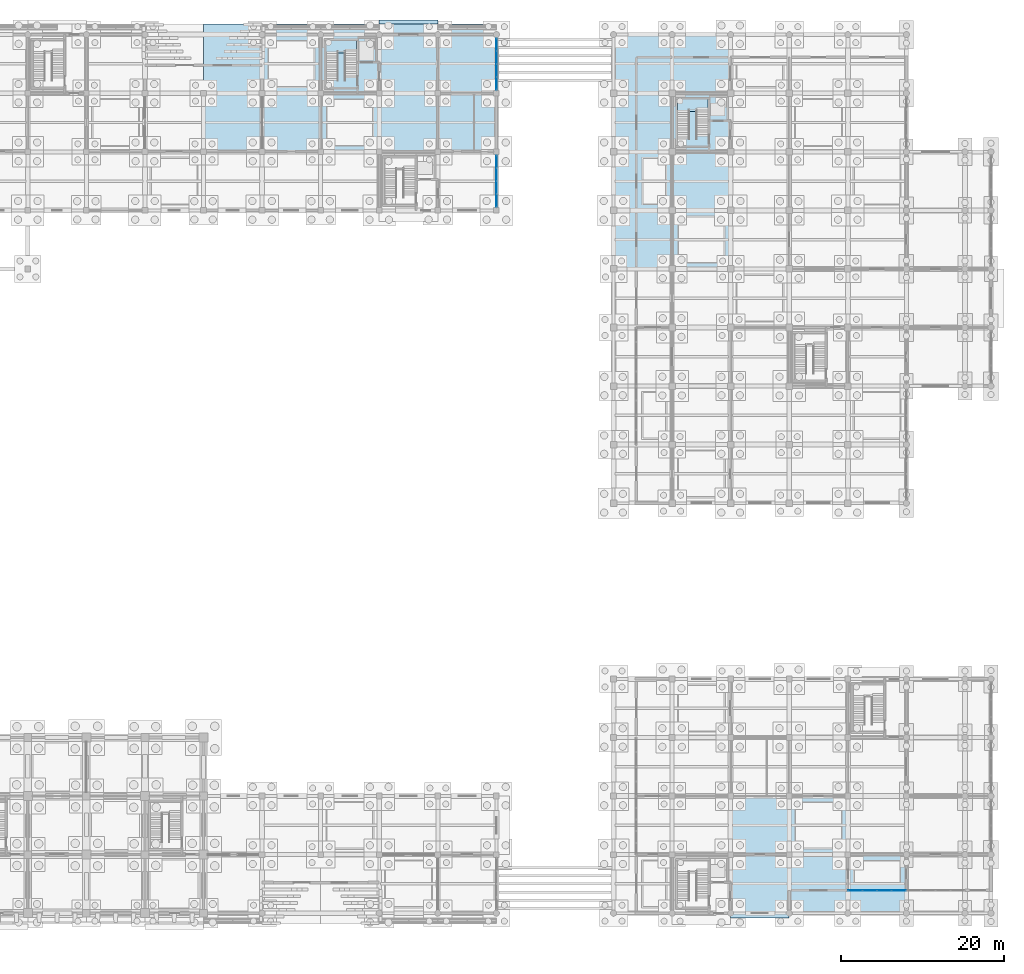
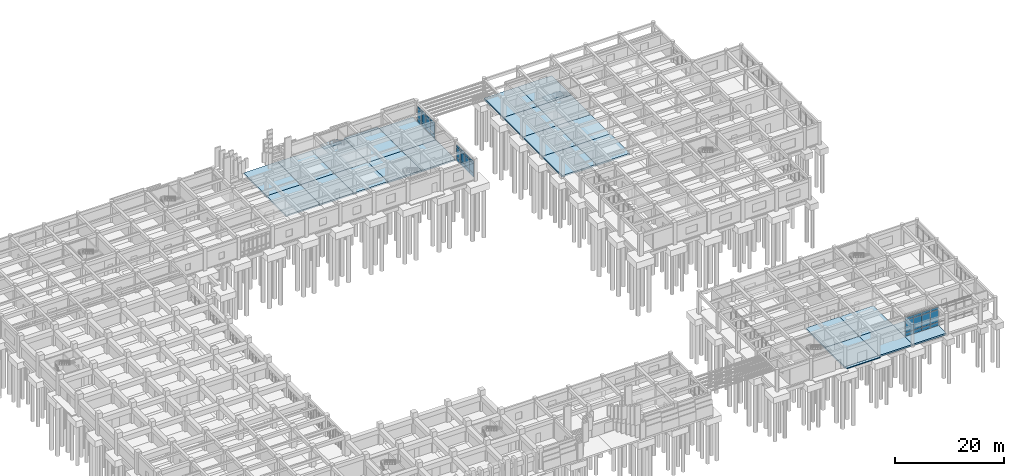
# One storey, part 49 of 79: 36 plates, 27 slabs, 5 elements without a shape of their own.
"""IFC4 building model written with IfcOpenShell, lengths in metres."""

from ifc_helpers import new_model, si_unit, direction, frame, origin, origin_2d, place, context, subcontext, project, spatial, polyline, rectangle, outline, extrude, material, layer, layer_set, type_object, element, aggregate, save


model = new_model("IFC4")

# Units and contexts
model_context = context("Model", 3, precision=1e-05, world=origin(), true_north=direction((0.0, 1.0)))
body_context = subcontext(model_context, "Body", "Model", "MODEL_VIEW")
ifc_project = project(units=[si_unit("LENGTHUNIT", "METRE"), si_unit("AREAUNIT", "SQUARE_METRE"), si_unit("VOLUMEUNIT", "CUBIC_METRE"), si_unit("PLANEANGLEUNIT", "RADIAN"), si_unit("MASSUNIT", "GRAM", prefix="KILO")], contexts=[model_context])

# Site, building, storey
site_placement = place(None, origin())
site = spatial("IfcSite", under=ifc_project, at=site_placement, CompositionType="ELEMENT")
building_placement = place(site_placement, origin())
building = spatial("IfcBuilding", under=site, at=building_placement, Name="Kavelor Marine Aquarium", CompositionType="ELEMENT")
storey_placement = place(building_placement, origin())
storey = spatial("IfcBuildingStorey", under=building, at=storey_placement, Name="L00", CompositionType="ELEMENT", Elevation=0.0)

# Curtain wall, plates
ifc_material_1 = material(Name="Thermally Broken Aluminium and Low-E Glass", Category="aluminium")
ifc_layer_1 = layer(ifc_material_1, 0.251953125)
ifc_layer_set_1 = layer_set([ifc_layer_1], Name="CW-SYS14")
curtain_wall_type_1 = type_object("IfcCurtainWallType", Name="CW-SYS14", PredefinedType="USERDEFINED", material=ifc_layer_set_1)
curtain_wall_1_placement = place(storey_placement, origin())
curtain_wall_1 = element("IfcCurtainWall", 1, at=curtain_wall_1_placement, inside=storey, type_object=curtain_wall_type_1, Name="cw:arc:v3s:20", ObjectType="Curtain Wall", PredefinedType="USERDEFINED")
ifc_material_2 = material(Name="Solar-Control Double Low-E Glazing", Category="glass")
ifc_layer_2 = layer(ifc_material_2, 0.028076171875)
ifc_layer_set_2 = layer_set([ifc_layer_2], Name="CWP-02")
plate_type_1 = type_object("IfcPlateType", Name="CWP-02", PredefinedType="CURTAIN_PANEL", material=ifc_layer_set_2)
plate_1_placement = place(storey_placement, frame((153.483642578125, 5.60009765625, 0.06494140625), z_axis=(0.0, 0.0, 1.0), x_axis=(-1.0, 0.0, 0.0)))
plate_1 = element("IfcPlate", 2, at=plate_1_placement, type_object=plate_type_1, Name="CW14 panel 1.1", PredefinedType="CURTAIN_PANEL", context=body_context, shape_type="SweptSolid", body=[
    extrude(rectangle(XDim=1.702392578125, YDim=0.028076171875, at=origin_2d()), origin(), (0.0, 0.0, 1.0), 0.802490234375),
])
plate_2_placement = place(storey_placement, frame((153.483642578125, 5.60009765625, 0.9326171875), z_axis=(0.0, 0.0, 1.0), x_axis=(-1.0, 0.0, 0.0)))
plate_2 = element("IfcPlate", 3, at=plate_2_placement, type_object=plate_type_1, Name="CW14 panel 1.2", PredefinedType="CURTAIN_PANEL", context=body_context, shape_type="SweptSolid", body=[
    extrude(rectangle(XDim=1.702392578125, YDim=0.028076171875, at=origin_2d()), origin(), (0.0, 0.0, 1.0), 2.7548828125),
])
plate_3_placement = place(storey_placement, frame((153.483642578125, 5.60009765625, 3.75244140625), z_axis=(0.0, 0.0, 1.0), x_axis=(-1.0, 0.0, 0.0)))
plate_3 = element("IfcPlate", 4, at=plate_3_placement, type_object=plate_type_1, Name="CW14 panel 1.3", PredefinedType="CURTAIN_PANEL", context=body_context, shape_type="SweptSolid", body=[
    extrude(rectangle(XDim=1.702392578125, YDim=0.028076171875, at=origin_2d()), origin(), (0.0, 0.0, 1.0), 0.552490234375),
])
plate_4_placement = place(storey_placement, frame((151.699951171875, 5.60009765625, 0.06494140625), z_axis=(0.0, 0.0, 1.0), x_axis=(-1.0, 0.0, 0.0)))
plate_4 = element("IfcPlate", 5, at=plate_4_placement, type_object=plate_type_1, Name="CW14 panel 2.1", PredefinedType="CURTAIN_PANEL", context=body_context, shape_type="SweptSolid", body=[
    extrude(rectangle(XDim=1.735107421875, YDim=0.028076171875, at=origin_2d()), origin(), (0.0, 0.0, 1.0), 0.802490234375),
])
plate_5_placement = place(storey_placement, frame((151.699951171875, 5.60009765625, 0.9326171875), z_axis=(0.0, 0.0, 1.0), x_axis=(-1.0, 0.0, 0.0)))
plate_5 = element("IfcPlate", 6, at=plate_5_placement, type_object=plate_type_1, Name="CW14 panel 2.2", PredefinedType="CURTAIN_PANEL", context=body_context, shape_type="SweptSolid", body=[
    extrude(rectangle(XDim=1.735107421875, YDim=0.028076171875, at=origin_2d()), origin(), (0.0, 0.0, 1.0), 2.7548828125),
])
plate_6_placement = place(storey_placement, frame((151.699951171875, 5.60009765625, 3.75244140625), z_axis=(0.0, 0.0, 1.0), x_axis=(-1.0, 0.0, 0.0)))
plate_6 = element("IfcPlate", 7, at=plate_6_placement, type_object=plate_type_1, Name="CW14 panel 2.3", PredefinedType="CURTAIN_PANEL", context=body_context, shape_type="SweptSolid", body=[
    extrude(rectangle(XDim=1.735107421875, YDim=0.028076171875, at=origin_2d()), origin(), (0.0, 0.0, 1.0), 0.552490234375),
])
plate_7_placement = place(storey_placement, frame((149.89990234375, 5.60009765625, 0.06494140625), z_axis=(0.0, 0.0, 1.0), x_axis=(-1.0, 0.0, 0.0)))
plate_7 = element("IfcPlate", 8, at=plate_7_placement, type_object=plate_type_1, Name="CW14 panel 3.1", PredefinedType="CURTAIN_PANEL", context=body_context, shape_type="SweptSolid", body=[
    extrude(rectangle(XDim=1.735107421875, YDim=0.028076171875, at=origin_2d()), origin(), (0.0, 0.0, 1.0), 0.802490234375),
])
plate_8_placement = place(storey_placement, frame((149.89990234375, 5.60009765625, 0.9326171875), z_axis=(0.0, 0.0, 1.0), x_axis=(-1.0, 0.0, 0.0)))
plate_8 = element("IfcPlate", 9, at=plate_8_placement, type_object=plate_type_1, Name="CW14 panel 3.2", PredefinedType="CURTAIN_PANEL", context=body_context, shape_type="SweptSolid", body=[
    extrude(rectangle(XDim=1.735107421875, YDim=0.028076171875, at=origin_2d()), origin(), (0.0, 0.0, 1.0), 2.7548828125),
])
plate_9_placement = place(storey_placement, frame((149.89990234375, 5.60009765625, 3.75244140625), z_axis=(0.0, 0.0, 1.0), x_axis=(-1.0, 0.0, 0.0)))
plate_9 = element("IfcPlate", 10, at=plate_9_placement, type_object=plate_type_1, Name="CW14 panel 3.3", PredefinedType="CURTAIN_PANEL", context=body_context, shape_type="SweptSolid", body=[
    extrude(rectangle(XDim=1.735107421875, YDim=0.028076171875, at=origin_2d()), origin(), (0.0, 0.0, 1.0), 0.552490234375),
])
plate_10_placement = place(storey_placement, frame((148.1162109375, 5.60009765625, 0.06494140625), z_axis=(0.0, 0.0, 1.0), x_axis=(-1.0, 0.0, 0.0)))
plate_10 = element("IfcPlate", 11, at=plate_10_placement, type_object=plate_type_1, Name="CW14 panel 4.1", PredefinedType="CURTAIN_PANEL", context=body_context, shape_type="SweptSolid", body=[
    extrude(rectangle(XDim=1.702392578125, YDim=0.028076171875, at=origin_2d()), origin(), (0.0, 0.0, 1.0), 0.802490234375),
])
plate_11_placement = place(storey_placement, frame((148.1162109375, 5.60009765625, 0.9326171875), z_axis=(0.0, 0.0, 1.0), x_axis=(-1.0, 0.0, 0.0)))
plate_11 = element("IfcPlate", 12, at=plate_11_placement, type_object=plate_type_1, Name="CW14 panel 4.2", PredefinedType="CURTAIN_PANEL", context=body_context, shape_type="SweptSolid", body=[
    extrude(rectangle(XDim=1.702392578125, YDim=0.028076171875, at=origin_2d()), origin(), (0.0, 0.0, 1.0), 2.7548828125),
])
plate_12_placement = place(storey_placement, frame((148.1162109375, 5.60009765625, 3.75244140625), z_axis=(0.0, 0.0, 1.0), x_axis=(-1.0, 0.0, 0.0)))
plate_12 = element("IfcPlate", 13, at=plate_12_placement, type_object=plate_type_1, Name="CW14 panel 4.3", PredefinedType="CURTAIN_PANEL", context=body_context, shape_type="SweptSolid", body=[
    extrude(rectangle(XDim=1.702392578125, YDim=0.028076171875, at=origin_2d()), origin(), (0.0, 0.0, 1.0), 0.552490234375),
])
aggregate(curtain_wall_1, [plate_1, plate_2, plate_3, plate_4, plate_5, plate_6, plate_7, plate_8, plate_9, plate_10, plate_11, plate_12])

ifc_material_3 = material(Name="Thermally Broken Aluminium and Low-E Glass", Category="aluminium")
ifc_layer_3 = layer(ifc_material_3, 0.22802734375)
ifc_layer_set_3 = layer_set([ifc_layer_3], Name="CW-SYS11")
curtain_wall_type_2 = type_object("IfcCurtainWallType", Name="CW-SYS11", PredefinedType="USERDEFINED", material=ifc_layer_set_3)
curtain_wall_2_placement = place(storey_placement, origin())
curtain_wall_2 = element("IfcCurtainWall", 14, at=curtain_wall_2_placement, inside=storey, type_object=curtain_wall_type_2, Name="cw:y:L00:14_12", ObjectType="Curtain Wall", PredefinedType="USERDEFINED")
ifc_material_4 = material(Name="Solar-Control Double Low-E Glazing", Category="glass")
ifc_layer_4 = layer(ifc_material_4, 0.0458984375)
ifc_layer_set_4 = layer_set([ifc_layer_4], Name="CWP-11")
plate_type_2 = type_object("IfcPlateType", Name="CWP-11", PredefinedType="CURTAIN_PANEL", material=ifc_layer_set_4)
plate_13_placement = place(storey_placement, frame((104.0, 90.41259765625, 0.06005859375), z_axis=(0.0, 0.0, 1.0), x_axis=(0.0, 1.0, 0.0)))
plate_13 = element("IfcPlate", 15, at=plate_13_placement, type_object=plate_type_2, Name="CW11 panel 1.1", PredefinedType="CURTAIN_PANEL", context=body_context, shape_type="SweptSolid", body=[
    extrude(rectangle(XDim=1.5048828125, YDim=0.0458984375, at=origin_2d()), origin(), (0.0, 0.0, 1.0), 0.81005859375),
])
plate_14_placement = place(storey_placement, frame((104.0, 90.41259765625, 0.929931640625), z_axis=(0.0, 0.0, 1.0), x_axis=(0.0, 1.0, 0.0)))
plate_14 = element("IfcPlate", 16, at=plate_14_placement, type_object=plate_type_2, Name="CW11 panel 1.2", PredefinedType="CURTAIN_PANEL", context=body_context, shape_type="SweptSolid", body=[
    extrude(rectangle(XDim=1.5048828125, YDim=0.0458984375, at=origin_2d()), origin(), (0.0, 0.0, 1.0), 2.06005859375),
])
plate_15_placement = place(storey_placement, frame((104.0, 90.41259765625, 3.050048828125), z_axis=(0.0, 0.0, 1.0), x_axis=(0.0, 1.0, 0.0)))
plate_15 = element("IfcPlate", 17, at=plate_15_placement, type_object=plate_type_2, Name="CW11 panel 1.3", PredefinedType="CURTAIN_PANEL", context=body_context, shape_type="SweptSolid", body=[
    extrude(rectangle(XDim=1.5048828125, YDim=0.0458984375, at=origin_2d()), origin(), (0.0, 0.0, 1.0), 0.56005859375),
])
plate_16_placement = place(storey_placement, frame((104.0, 91.998779296875, 0.06005859375), z_axis=(0.0, 0.0, 1.0), x_axis=(0.0, 1.0, 0.0)))
plate_16 = element("IfcPlate", 18, at=plate_16_placement, type_object=plate_type_2, Name="CW11 panel 2.1", PredefinedType="CURTAIN_PANEL", context=body_context, shape_type="SweptSolid", body=[
    extrude(rectangle(XDim=1.53759765625, YDim=0.0458984375, at=origin_2d()), origin(), (0.0, 0.0, 1.0), 0.81005859375),
])
plate_17_placement = place(storey_placement, frame((104.0, 91.998779296875, 0.929931640625), z_axis=(0.0, 0.0, 1.0), x_axis=(0.0, 1.0, 0.0)))
plate_17 = element("IfcPlate", 19, at=plate_17_placement, type_object=plate_type_2, Name="CW11 panel 2.2", PredefinedType="CURTAIN_PANEL", context=body_context, shape_type="SweptSolid", body=[
    extrude(rectangle(XDim=1.53759765625, YDim=0.0458984375, at=origin_2d()), origin(), (0.0, 0.0, 1.0), 2.06005859375),
])
plate_18_placement = place(storey_placement, frame((104.0, 91.998779296875, 3.050048828125), z_axis=(0.0, 0.0, 1.0), x_axis=(0.0, 1.0, 0.0)))
plate_18 = element("IfcPlate", 20, at=plate_18_placement, type_object=plate_type_2, Name="CW11 panel 2.3", PredefinedType="CURTAIN_PANEL", context=body_context, shape_type="SweptSolid", body=[
    extrude(rectangle(XDim=1.53759765625, YDim=0.0458984375, at=origin_2d()), origin(), (0.0, 0.0, 1.0), 0.56005859375),
])
plate_19_placement = place(storey_placement, frame((104.0, 93.601318359375, 0.06005859375), z_axis=(0.0, 0.0, 1.0), x_axis=(0.0, 1.0, 0.0)))
plate_19 = element("IfcPlate", 21, at=plate_19_placement, type_object=plate_type_2, Name="CW11 panel 3.1", PredefinedType="CURTAIN_PANEL", context=body_context, shape_type="SweptSolid", body=[
    extrude(rectangle(XDim=1.53759765625, YDim=0.0458984375, at=origin_2d()), origin(), (0.0, 0.0, 1.0), 0.81005859375),
])
plate_20_placement = place(storey_placement, frame((104.0, 93.601318359375, 0.929931640625), z_axis=(0.0, 0.0, 1.0), x_axis=(0.0, 1.0, 0.0)))
plate_20 = element("IfcPlate", 22, at=plate_20_placement, type_object=plate_type_2, Name="CW11 panel 3.2", PredefinedType="CURTAIN_PANEL", context=body_context, shape_type="SweptSolid", body=[
    extrude(rectangle(XDim=1.53759765625, YDim=0.0458984375, at=origin_2d()), origin(), (0.0, 0.0, 1.0), 2.06005859375),
])
plate_21_placement = place(storey_placement, frame((104.0, 93.601318359375, 3.050048828125), z_axis=(0.0, 0.0, 1.0), x_axis=(0.0, 1.0, 0.0)))
plate_21 = element("IfcPlate", 23, at=plate_21_placement, type_object=plate_type_2, Name="CW11 panel 3.3", PredefinedType="CURTAIN_PANEL", context=body_context, shape_type="SweptSolid", body=[
    extrude(rectangle(XDim=1.53759765625, YDim=0.0458984375, at=origin_2d()), origin(), (0.0, 0.0, 1.0), 0.56005859375),
])
plate_22_placement = place(storey_placement, frame((104.0, 95.1875, 0.06005859375), z_axis=(0.0, 0.0, 1.0), x_axis=(0.0, 1.0, 0.0)))
plate_22 = element("IfcPlate", 24, at=plate_22_placement, type_object=plate_type_2, Name="CW11 panel 4.1", PredefinedType="CURTAIN_PANEL", context=body_context, shape_type="SweptSolid", body=[
    extrude(rectangle(XDim=1.5048828125, YDim=0.0458984375, at=origin_2d()), origin(), (0.0, 0.0, 1.0), 0.81005859375),
])
plate_23_placement = place(storey_placement, frame((104.0, 95.1875, 0.929931640625), z_axis=(0.0, 0.0, 1.0), x_axis=(0.0, 1.0, 0.0)))
plate_23 = element("IfcPlate", 25, at=plate_23_placement, type_object=plate_type_2, Name="CW11 panel 4.2", PredefinedType="CURTAIN_PANEL", context=body_context, shape_type="SweptSolid", body=[
    extrude(rectangle(XDim=1.5048828125, YDim=0.0458984375, at=origin_2d()), origin(), (0.0, 0.0, 1.0), 2.06005859375),
])
plate_24_placement = place(storey_placement, frame((104.0, 95.1875, 3.050048828125), z_axis=(0.0, 0.0, 1.0), x_axis=(0.0, 1.0, 0.0)))
plate_24 = element("IfcPlate", 26, at=plate_24_placement, type_object=plate_type_2, Name="CW11 panel 4.3", PredefinedType="CURTAIN_PANEL", context=body_context, shape_type="SweptSolid", body=[
    extrude(rectangle(XDim=1.5048828125, YDim=0.0458984375, at=origin_2d()), origin(), (0.0, 0.0, 1.0), 0.56005859375),
])
aggregate(curtain_wall_2, [plate_13, plate_14, plate_15, plate_16, plate_17, plate_18, plate_19, plate_20, plate_21, plate_22, plate_23, plate_24])

ifc_material_5 = material(Name="Thermally Broken Aluminium and Low-E Glass", Category="aluminium")
ifc_layer_5 = layer(ifc_material_5, 0.236083984375)
ifc_layer_set_5 = layer_set([ifc_layer_5], Name="CW-SYS12")
curtain_wall_type_3 = type_object("IfcCurtainWallType", Name="CW-SYS12", PredefinedType="USERDEFINED", material=ifc_layer_set_5)
curtain_wall_3_placement = place(storey_placement, origin())
curtain_wall_3 = element("IfcCurtainWall", 27, at=curtain_wall_3_placement, inside=storey, type_object=curtain_wall_type_3, Name="cw:y:L00:14_14", ObjectType="Curtain Wall", PredefinedType="USERDEFINED")
ifc_material_6 = material(Name="Solar-Control Double Low-E Glazing", Category="glass")
ifc_layer_6 = layer(ifc_material_6, 0.048095703125)
ifc_layer_set_6 = layer_set([ifc_layer_6], Name="CWP-12")
plate_type_3 = type_object("IfcPlateType", Name="CWP-12", PredefinedType="CURTAIN_PANEL", material=ifc_layer_set_6)
plate_25_placement = place(storey_placement, frame((104.0, 104.80810546875, 0.074951171875), z_axis=(0.0, 0.0, 1.0), x_axis=(0.0, 1.0, 0.0)))
plate_25 = element("IfcPlate", 28, at=plate_25_placement, type_object=plate_type_3, Name="CW12 panel 1.1", PredefinedType="CURTAIN_PANEL", context=body_context, shape_type="SweptSolid", body=[
    extrude(rectangle(XDim=1.50634765625, YDim=0.048095703125, at=origin_2d()), origin(), (0.0, 0.0, 1.0), 0.78759765625),
])
plate_26_placement = place(storey_placement, frame((104.0, 104.80810546875, 0.9375), z_axis=(0.0, 0.0, 1.0), x_axis=(0.0, 1.0, 0.0)))
plate_26 = element("IfcPlate", 29, at=plate_26_placement, type_object=plate_type_3, Name="CW12 panel 1.2", PredefinedType="CURTAIN_PANEL", context=body_context, shape_type="SweptSolid", body=[
    extrude(rectangle(XDim=1.50634765625, YDim=0.048095703125, at=origin_2d()), origin(), (0.0, 0.0, 1.0), 2.044921875),
])
plate_27_placement = place(storey_placement, frame((104.0, 104.80810546875, 3.057373046875), z_axis=(0.0, 0.0, 1.0), x_axis=(0.0, 1.0, 0.0)))
plate_27 = element("IfcPlate", 30, at=plate_27_placement, type_object=plate_type_3, Name="CW12 panel 1.3", PredefinedType="CURTAIN_PANEL", context=body_context, shape_type="SweptSolid", body=[
    extrude(rectangle(XDim=1.50634765625, YDim=0.048095703125, at=origin_2d()), origin(), (0.0, 0.0, 1.0), 0.53759765625),
])
plate_28_placement = place(storey_placement, frame((104.0, 106.389404296875, 0.074951171875), z_axis=(0.0, 0.0, 1.0), x_axis=(0.0, 1.0, 0.0)))
plate_28 = element("IfcPlate", 31, at=plate_28_placement, type_object=plate_type_3, Name="CW12 panel 2.1", PredefinedType="CURTAIN_PANEL", context=body_context, shape_type="SweptSolid", body=[
    extrude(rectangle(XDim=1.5361328125, YDim=0.048095703125, at=origin_2d()), origin(), (0.0, 0.0, 1.0), 0.78759765625),
])
plate_29_placement = place(storey_placement, frame((104.0, 106.389404296875, 0.9375), z_axis=(0.0, 0.0, 1.0), x_axis=(0.0, 1.0, 0.0)))
plate_29 = element("IfcPlate", 32, at=plate_29_placement, type_object=plate_type_3, Name="CW12 panel 2.2", PredefinedType="CURTAIN_PANEL", context=body_context, shape_type="SweptSolid", body=[
    extrude(rectangle(XDim=1.5361328125, YDim=0.048095703125, at=origin_2d()), origin(), (0.0, 0.0, 1.0), 2.044921875),
])
plate_30_placement = place(storey_placement, frame((104.0, 106.389404296875, 3.057373046875), z_axis=(0.0, 0.0, 1.0), x_axis=(0.0, 1.0, 0.0)))
plate_30 = element("IfcPlate", 33, at=plate_30_placement, type_object=plate_type_3, Name="CW12 panel 2.3", PredefinedType="CURTAIN_PANEL", context=body_context, shape_type="SweptSolid", body=[
    extrude(rectangle(XDim=1.5361328125, YDim=0.048095703125, at=origin_2d()), origin(), (0.0, 0.0, 1.0), 0.53759765625),
])
plate_31_placement = place(storey_placement, frame((104.0, 107.985595703125, 0.074951171875), z_axis=(0.0, 0.0, 1.0), x_axis=(0.0, 1.0, 0.0)))
plate_31 = element("IfcPlate", 34, at=plate_31_placement, type_object=plate_type_3, Name="CW12 panel 3.1", PredefinedType="CURTAIN_PANEL", context=body_context, shape_type="SweptSolid", body=[
    extrude(rectangle(XDim=1.5361328125, YDim=0.048095703125, at=origin_2d()), origin(), (0.0, 0.0, 1.0), 0.78759765625),
])
plate_32_placement = place(storey_placement, frame((104.0, 107.985595703125, 0.9375), z_axis=(0.0, 0.0, 1.0), x_axis=(0.0, 1.0, 0.0)))
plate_32 = element("IfcPlate", 35, at=plate_32_placement, type_object=plate_type_3, Name="CW12 panel 3.2", PredefinedType="CURTAIN_PANEL", context=body_context, shape_type="SweptSolid", body=[
    extrude(rectangle(XDim=1.5361328125, YDim=0.048095703125, at=origin_2d()), origin(), (0.0, 0.0, 1.0), 2.044921875),
])
plate_33_placement = place(storey_placement, frame((104.0, 107.985595703125, 3.057373046875), z_axis=(0.0, 0.0, 1.0), x_axis=(0.0, 1.0, 0.0)))
plate_33 = element("IfcPlate", 36, at=plate_33_placement, type_object=plate_type_3, Name="CW12 panel 3.3", PredefinedType="CURTAIN_PANEL", context=body_context, shape_type="SweptSolid", body=[
    extrude(rectangle(XDim=1.5361328125, YDim=0.048095703125, at=origin_2d()), origin(), (0.0, 0.0, 1.0), 0.53759765625),
])
plate_34_placement = place(storey_placement, frame((104.0, 109.56689453125, 0.074951171875), z_axis=(0.0, 0.0, 1.0), x_axis=(0.0, 1.0, 0.0)))
plate_34 = element("IfcPlate", 37, at=plate_34_placement, type_object=plate_type_3, Name="CW12 panel 4.1", PredefinedType="CURTAIN_PANEL", context=body_context, shape_type="SweptSolid", body=[
    extrude(rectangle(XDim=1.50634765625, YDim=0.048095703125, at=origin_2d()), origin(), (0.0, 0.0, 1.0), 0.78759765625),
])
plate_35_placement = place(storey_placement, frame((104.0, 109.56689453125, 0.9375), z_axis=(0.0, 0.0, 1.0), x_axis=(0.0, 1.0, 0.0)))
plate_35 = element("IfcPlate", 38, at=plate_35_placement, type_object=plate_type_3, Name="CW12 panel 4.2", PredefinedType="CURTAIN_PANEL", context=body_context, shape_type="SweptSolid", body=[
    extrude(rectangle(XDim=1.50634765625, YDim=0.048095703125, at=origin_2d()), origin(), (0.0, 0.0, 1.0), 2.044921875),
])
plate_36_placement = place(storey_placement, frame((104.0, 109.56689453125, 3.057373046875), z_axis=(0.0, 0.0, 1.0), x_axis=(0.0, 1.0, 0.0)))
plate_36 = element("IfcPlate", 39, at=plate_36_placement, type_object=plate_type_3, Name="CW12 panel 4.3", PredefinedType="CURTAIN_PANEL", context=body_context, shape_type="SweptSolid", body=[
    extrude(rectangle(XDim=1.50634765625, YDim=0.048095703125, at=origin_2d()), origin(), (0.0, 0.0, 1.0), 0.53759765625),
])
aggregate(curtain_wall_3, [plate_25, plate_26, plate_27, plate_28, plate_29, plate_30, plate_31, plate_32, plate_33, plate_34, plate_35, plate_36])

# Stair, slab
ifc_material_7 = material(Name="Concrete C40/50", Category="concrete")
stair_type = type_object("IfcStairType", Name="ST-T1", PredefinedType="HALF_TURN_STAIR", material=ifc_material_7)
stair_1_placement = place(storey_placement, origin())
stair_1 = element("IfcStair", 40, at=stair_1_placement, inside=storey, type_object=stair_type, Name="Exit Stair ST06 (L00)", PredefinedType="HALF_TURN_STAIR")
ifc_material_8 = material(Name="Concrete C40/50", Category="concrete")
ifc_layer_7 = layer(ifc_material_8, 0.199951171875)
ifc_layer_set_7 = layer_set([ifc_layer_7], Name="LND-T1")
slab_type_1 = type_object("IfcSlabType", Name="LND-T1", PredefinedType="LANDING", material=ifc_layer_set_7)
slab_1_placement = place(storey_placement, frame((0.0, 0.0, 2.139892578125)))
slab_1 = element("IfcSlab", 41, at=slab_1_placement, type_object=slab_type_1, Name="ST06 landing 1", PredefinedType="LANDING", context=body_context, shape_type="SweptSolid", body=[
    extrude(outline(polyline([(83.06005859375, 108.554931640625), (86.820068359375, 108.554931640625), (86.820068359375, 110.06005859375), (83.06005859375, 110.06005859375), (83.06005859375, 108.554931640625)])), origin(), (0.0, 0.0, 1.0), 0.2001953125),
])
aggregate(stair_1, [slab_1])

stair_2_placement = place(storey_placement, origin())
stair_2 = element("IfcStair", 42, at=stair_2_placement, inside=storey, type_object=stair_type, Name="Exit Stair ST10 (L00)", PredefinedType="HALF_TURN_STAIR")
slab_2_placement = place(storey_placement, frame((0.0, 0.0, 2.139892578125)))
slab_2 = element("IfcSlab", 43, at=slab_2_placement, type_object=slab_type_1, Name="ST10 landing 1", PredefinedType="LANDING", context=body_context, shape_type="SweptSolid", body=[
    extrude(outline(polyline([(126.260009765625, 101.35498046875), (130.02001953125, 101.35498046875), (130.02001953125, 102.860107421875), (126.260009765625, 102.860107421875), (126.260009765625, 101.35498046875)])), origin(), (0.0, 0.0, 1.0), 0.2001953125),
])
aggregate(stair_2, [slab_2])

# Slabs
ifc_material_9 = material(Name="Textured Coastal Granite Paving", Category="masonry")
ifc_layer_8 = layer(ifc_material_9, 0.199951171875)
ifc_layer_set_8 = layer_set([ifc_layer_8], Name="SL-AP1")
slab_type_2 = type_object("IfcSlabType", Name="SL-AP1", PredefinedType="BASESLAB", material=ifc_layer_set_8)
slab_3_placement = place(storey_placement, frame((0.0, 0.0, -0.199951171875)))
element("IfcSlab", 44, at=slab_3_placement, inside=storey, type_object=slab_type_2, Name="apron:ed:03", PredefinedType="BASESLAB", context=body_context, shape_type="SweptSolid", body=[
    extrude(outline(polyline([(89.60009765625, 112.1201171875), (96.800048828125, 112.1201171875), (96.800048828125, 112.60009765625), (89.60009765625, 112.60009765625), (89.60009765625, 112.1201171875)])), origin(), (0.0, 0.0, 1.0), 0.199951171875),
])
slab_4_placement = place(storey_placement, frame((0.0, 0.0, -0.199951171875)))
element("IfcSlab", 45, at=slab_4_placement, inside=storey, type_object=slab_type_2, Name="apron:ed:04", PredefinedType="BASESLAB", context=body_context, shape_type="SweptSolid", body=[
    extrude(outline(polyline([(132.800048828125, 2.219970703125), (140.0, 2.219970703125), (140.0, 2.800048828125), (132.800048828125, 2.800048828125), (132.800048828125, 2.219970703125)])), origin(), (0.0, 0.0, 1.0), 0.199951171875),
])
ifc_material_10 = material(Name="Concrete C40/50", Category="concrete")
ifc_layer_9 = layer(ifc_material_10, 0.35009765625)
ifc_layer_set_9 = layer_set([ifc_layer_9], Name="SL-BS2")
slab_type_3 = type_object("IfcSlabType", Name="SL-BS2", PredefinedType="BASESLAB", material=ifc_layer_set_9)
slab_5_placement = place(storey_placement, frame((0.0, 0.0, -0.35009765625)))
element("IfcSlab", 46, at=slab_5_placement, inside=storey, type_object=slab_type_3, Name="slab:L00:09_13", PredefinedType="BASESLAB", context=body_context, shape_type="SweptSolid", body=[
    extrude(outline(polyline([(68.0, 96.39990234375), (75.199951171875, 96.39990234375), (75.199951171875, 103.60009765625), (68.0, 103.60009765625), (68.0, 96.39990234375)])), origin(), (0.0, 0.0, 1.0), 0.35009765625),
])
slab_6_placement = place(storey_placement, frame((0.0, 0.0, -0.35009765625)))
element("IfcSlab", 47, at=slab_6_placement, inside=storey, type_object=slab_type_3, Name="slab:L00:09_14", PredefinedType="BASESLAB", context=body_context, shape_type="SweptSolid", body=[
    extrude(outline(polyline([(68.0, 103.60009765625), (75.199951171875, 103.60009765625), (75.199951171875, 112.1201171875), (68.0, 112.1201171875), (68.0, 103.60009765625)])), origin(), (0.0, 0.0, 1.0), 0.35009765625),
])
slab_7_placement = place(storey_placement, frame((0.0, 0.0, -0.35009765625)))
element("IfcSlab", 48, at=slab_7_placement, inside=storey, type_object=slab_type_3, Name="slab:L00:10_13", PredefinedType="BASESLAB", context=body_context, shape_type="SweptSolid", body=[
    extrude(outline(polyline([(75.199951171875, 96.39990234375), (82.39990234375, 96.39990234375), (82.39990234375, 103.60009765625), (75.199951171875, 103.60009765625), (75.199951171875, 96.39990234375)])), origin(), (0.0, 0.0, 1.0), 0.35009765625),
])
slab_8_placement = place(storey_placement, frame((0.0, 0.0, -0.35009765625)))
element("IfcSlab", 49, at=slab_8_placement, inside=storey, type_object=slab_type_3, Name="slab:L00:10_14", PredefinedType="BASESLAB", context=body_context, shape_type="SweptSolid", body=[
    extrude(outline(polyline([(75.199951171875, 103.60009765625), (82.39990234375, 103.60009765625), (82.39990234375, 112.1201171875), (75.199951171875, 112.1201171875), (75.199951171875, 103.60009765625)])), origin(), (0.0, 0.0, 1.0), 0.35009765625),
])
slab_9_placement = place(storey_placement, frame((0.0, 0.0, -0.35009765625)))
element("IfcSlab", 50, at=slab_9_placement, inside=storey, type_object=slab_type_3, Name="slab:L00:11_13", PredefinedType="BASESLAB", context=body_context, shape_type="SweptSolid", body=[
    extrude(outline(polyline([(82.39990234375, 96.39990234375), (89.60009765625, 96.39990234375), (89.60009765625, 103.60009765625), (82.39990234375, 103.60009765625), (82.39990234375, 96.39990234375)])), origin(), (0.0, 0.0, 1.0), 0.35009765625),
])
slab_10_placement = place(storey_placement, frame((0.0, 0.0, -0.35009765625)))
element("IfcSlab", 51, at=slab_10_placement, inside=storey, type_object=slab_type_3, Name="slab:L00:11_14", PredefinedType="BASESLAB", context=body_context, shape_type="SweptSolid", body=[
    extrude(outline(polyline([(82.39990234375, 103.60009765625), (89.60009765625, 103.60009765625), (89.60009765625, 112.1201171875), (82.39990234375, 112.1201171875), (82.39990234375, 103.60009765625)])), origin(), (0.0, 0.0, 1.0), 0.35009765625),
])
slab_11_placement = place(storey_placement, frame((0.0, 0.0, -0.35009765625)))
element("IfcSlab", 52, at=slab_11_placement, inside=storey, type_object=slab_type_3, Name="slab:L00:12_13", PredefinedType="BASESLAB", context=body_context, shape_type="SweptSolid", body=[
    extrude(outline(polyline([(89.60009765625, 96.39990234375), (96.800048828125, 96.39990234375), (96.800048828125, 103.60009765625), (89.60009765625, 103.60009765625), (89.60009765625, 96.39990234375)])), origin(), (0.0, 0.0, 1.0), 0.35009765625),
])
slab_12_placement = place(storey_placement, frame((0.0, 0.0, -0.35009765625)))
element("IfcSlab", 53, at=slab_12_placement, inside=storey, type_object=slab_type_3, Name="slab:L00:12_14", PredefinedType="BASESLAB", context=body_context, shape_type="SweptSolid", body=[
    extrude(outline(polyline([(89.60009765625, 103.60009765625), (96.800048828125, 103.60009765625), (96.800048828125, 112.1201171875), (89.60009765625, 112.1201171875), (89.60009765625, 103.60009765625)])), origin(), (0.0, 0.0, 1.0), 0.35009765625),
])
slab_13_placement = place(storey_placement, frame((0.0, 0.0, -0.35009765625)))
element("IfcSlab", 54, at=slab_13_placement, inside=storey, type_object=slab_type_3, Name="slab:L00:13_13", PredefinedType="BASESLAB", context=body_context, shape_type="SweptSolid", body=[
    extrude(outline(polyline([(96.800048828125, 96.39990234375), (104.0, 96.39990234375), (104.0, 103.60009765625), (96.800048828125, 103.60009765625), (96.800048828125, 96.39990234375)])), origin(), (0.0, 0.0, 1.0), 0.35009765625),
])
slab_14_placement = place(storey_placement, frame((0.0, 0.0, -0.35009765625)))
element("IfcSlab", 55, at=slab_14_placement, inside=storey, type_object=slab_type_3, Name="slab:L00:13_14", PredefinedType="BASESLAB", context=body_context, shape_type="SweptSolid", body=[
    extrude(outline(polyline([(96.800048828125, 103.60009765625), (104.0, 103.60009765625), (104.0, 112.1201171875), (96.800048828125, 112.1201171875), (96.800048828125, 103.60009765625)])), origin(), (0.0, 0.0, 1.0), 0.35009765625),
])
slab_15_placement = place(storey_placement, frame((0.0, 0.0, -0.35009765625)))
element("IfcSlab", 56, at=slab_15_placement, inside=storey, type_object=slab_type_3, Name="slab:L00:16_11", PredefinedType="BASESLAB", context=body_context, shape_type="SweptSolid", body=[
    extrude(outline(polyline([(118.39990234375, 82.0), (125.60009765625, 82.0), (125.60009765625, 89.199951171875), (118.39990234375, 89.199951171875), (118.39990234375, 82.0)])), origin(), (0.0, 0.0, 1.0), 0.35009765625),
])
slab_16_placement = place(storey_placement, frame((0.0, 0.0, -0.35009765625)))
element("IfcSlab", 57, at=slab_16_placement, inside=storey, type_object=slab_type_3, Name="slab:L00:16_12", PredefinedType="BASESLAB", context=body_context, shape_type="SweptSolid", body=[
    extrude(outline(polyline([(118.39990234375, 89.199951171875), (125.60009765625, 89.199951171875), (125.60009765625, 96.39990234375), (118.39990234375, 96.39990234375), (118.39990234375, 89.199951171875)])), origin(), (0.0, 0.0, 1.0), 0.35009765625),
])
slab_17_placement = place(storey_placement, frame((0.0, 0.0, -0.35009765625)))
element("IfcSlab", 58, at=slab_17_placement, inside=storey, type_object=slab_type_3, Name="slab:L00:16_13", PredefinedType="BASESLAB", context=body_context, shape_type="SweptSolid", body=[
    extrude(outline(polyline([(118.39990234375, 96.39990234375), (125.60009765625, 96.39990234375), (125.60009765625, 103.60009765625), (118.39990234375, 103.60009765625), (118.39990234375, 96.39990234375)])), origin(), (0.0, 0.0, 1.0), 0.35009765625),
])
slab_18_placement = place(storey_placement, frame((0.0, 0.0, -0.35009765625)))
element("IfcSlab", 59, at=slab_18_placement, inside=storey, type_object=slab_type_3, Name="slab:L00:16_14", PredefinedType="BASESLAB", context=body_context, shape_type="SweptSolid", body=[
    extrude(outline(polyline([(118.39990234375, 103.60009765625), (125.60009765625, 103.60009765625), (125.60009765625, 110.800048828125), (118.39990234375, 110.800048828125), (118.39990234375, 103.60009765625)])), origin(), (0.0, 0.0, 1.0), 0.35009765625),
])
slab_19_placement = place(storey_placement, frame((0.0, 0.0, -0.35009765625)))
element("IfcSlab", 60, at=slab_19_placement, inside=storey, type_object=slab_type_3, Name="slab:L00:17_11", PredefinedType="BASESLAB", context=body_context, shape_type="SweptSolid", body=[
    extrude(outline(polyline([(125.60009765625, 82.0), (132.800048828125, 82.0), (132.800048828125, 89.199951171875), (125.60009765625, 89.199951171875), (125.60009765625, 82.0)])), origin(), (0.0, 0.0, 1.0), 0.35009765625),
])
slab_20_placement = place(storey_placement, frame((0.0, 0.0, -0.35009765625)))
element("IfcSlab", 61, at=slab_20_placement, inside=storey, type_object=slab_type_3, Name="slab:L00:17_12", PredefinedType="BASESLAB", context=body_context, shape_type="SweptSolid", body=[
    extrude(outline(polyline([(125.60009765625, 89.199951171875), (132.800048828125, 89.199951171875), (132.800048828125, 96.39990234375), (125.60009765625, 96.39990234375), (125.60009765625, 89.199951171875)])), origin(), (0.0, 0.0, 1.0), 0.35009765625),
])
slab_21_placement = place(storey_placement, frame((0.0, 0.0, -0.35009765625)))
element("IfcSlab", 62, at=slab_21_placement, inside=storey, type_object=slab_type_3, Name="slab:L00:17_13", PredefinedType="BASESLAB", context=body_context, shape_type="SweptSolid", body=[
    extrude(outline(polyline([(125.60009765625, 96.39990234375), (132.800048828125, 96.39990234375), (132.800048828125, 103.60009765625), (125.60009765625, 103.60009765625), (125.60009765625, 96.39990234375)])), origin(), (0.0, 0.0, 1.0), 0.35009765625),
])
slab_22_placement = place(storey_placement, frame((0.0, 0.0, -0.35009765625)))
element("IfcSlab", 63, at=slab_22_placement, inside=storey, type_object=slab_type_3, Name="slab:L00:17_14", PredefinedType="BASESLAB", context=body_context, shape_type="SweptSolid", body=[
    extrude(outline(polyline([(125.60009765625, 103.60009765625), (132.800048828125, 103.60009765625), (132.800048828125, 110.800048828125), (125.60009765625, 110.800048828125), (125.60009765625, 103.60009765625)])), origin(), (0.0, 0.0, 1.0), 0.35009765625),
])
slab_23_placement = place(storey_placement, frame((0.0, 0.0, -0.35009765625)))
element("IfcSlab", 64, at=slab_23_placement, inside=storey, type_object=slab_type_3, Name="slab:L00:18_00", PredefinedType="BASESLAB", context=body_context, shape_type="SweptSolid", body=[
    extrude(outline(polyline([(132.800048828125, 2.800048828125), (140.0, 2.800048828125), (140.0, 10.0), (132.800048828125, 10.0), (132.800048828125, 2.800048828125)])), origin(), (0.0, 0.0, 1.0), 0.35009765625),
])
slab_24_placement = place(storey_placement, frame((0.0, 0.0, -0.35009765625)))
element("IfcSlab", 65, at=slab_24_placement, inside=storey, type_object=slab_type_3, Name="slab:L00:18_01", PredefinedType="BASESLAB", context=body_context, shape_type="SweptSolid", body=[
    extrude(outline(polyline([(132.800048828125, 10.0), (140.0, 10.0), (140.0, 17.199951171875), (132.800048828125, 17.199951171875), (132.800048828125, 10.0)])), origin(), (0.0, 0.0, 1.0), 0.35009765625),
])
slab_25_placement = place(storey_placement, frame((0.0, 0.0, -0.35009765625)))
element("IfcSlab", 66, at=slab_25_placement, inside=storey, type_object=slab_type_3, Name="slab:L00:19_00", PredefinedType="BASESLAB", context=body_context, shape_type="SweptSolid", body=[
    extrude(outline(polyline([(140.0, 2.800048828125), (147.199951171875, 2.800048828125), (147.199951171875, 10.0), (140.0, 10.0), (140.0, 2.800048828125)])), origin(), (0.0, 0.0, 1.0), 0.35009765625),
])
slab_26_placement = place(storey_placement, frame((0.0, 0.0, -0.35009765625)))
element("IfcSlab", 67, at=slab_26_placement, inside=storey, type_object=slab_type_3, Name="slab:L00:19_01", PredefinedType="BASESLAB", context=body_context, shape_type="SweptSolid", body=[
    extrude(outline(polyline([(140.0, 10.0), (147.199951171875, 10.0), (147.199951171875, 17.199951171875), (140.0, 17.199951171875), (140.0, 10.0)])), origin(), (0.0, 0.0, 1.0), 0.35009765625),
])
slab_27_placement = place(storey_placement, frame((0.0, 0.0, -0.35009765625)))
element("IfcSlab", 68, at=slab_27_placement, inside=storey, type_object=slab_type_3, Name="slab:L00:20_00", PredefinedType="BASESLAB", context=body_context, shape_type="SweptSolid", body=[
    extrude(outline(polyline([(147.199951171875, 2.800048828125), (154.39990234375, 2.800048828125), (154.39990234375, 10.0), (147.199951171875, 10.0), (147.199951171875, 2.800048828125)])), origin(), (0.0, 0.0, 1.0), 0.35009765625),
])

save(model, "model.ifc")
